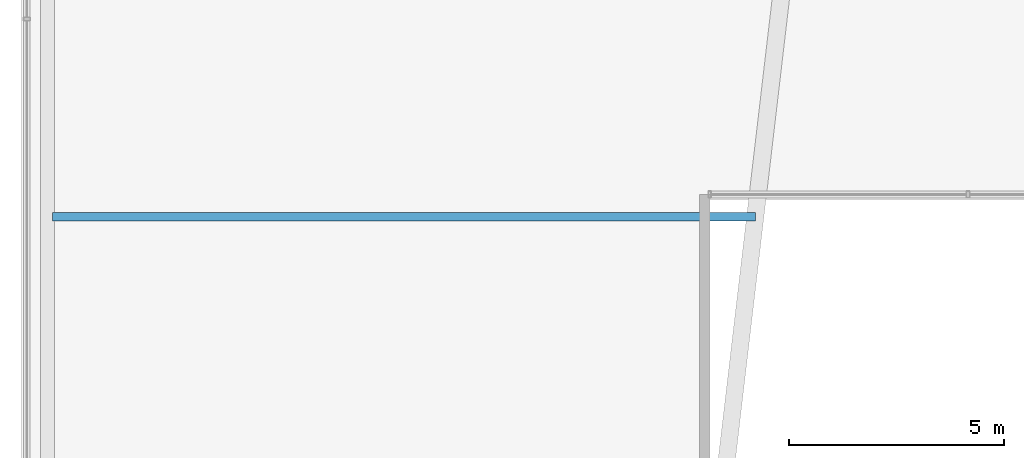
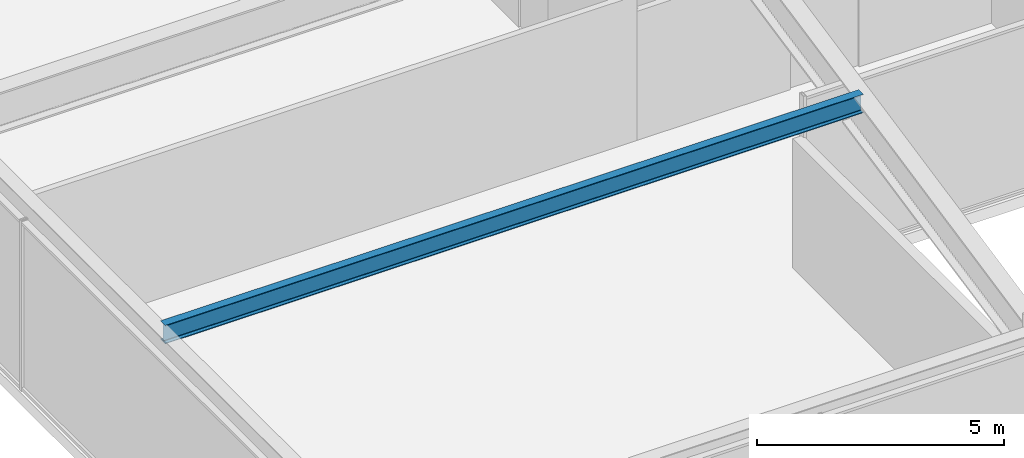
# One storey, part 7 of 47: 1 beam.
"""IFC4 building model written with IfcOpenShell, lengths in metres."""

import ifcopenshell
import ifcopenshell.guid

model = None  # the IFC model being written
_history = None  # IfcOwnerHistory: only IFC2X3 demands one
_inside = {}  # id of a spatial element -> (the spatial element, [elements in it])
_under = {}  # id of a project, library or spatial element -> (it, [spatial elements below it])
_declared = {}  # id of a project -> (the project, [libraries it declares])
_typed = {}  # id of a type object -> (the type object, [elements of that type])
_made_of = {}  # id of a material, layer set ... -> (it, [elements and type objects made of it])


def new_model(schema):
    """Start an empty IFC model of exactly this schema.

    Asked for "IFC4X3", IfcOpenShell would pick the latest addendum, in which some entities
    have other attributes; the version numbers below select the first issue.
    IFC2X3 requires an IfcOwnerHistory on every rooted entity: one is made here for all.
    """
    global model, _history
    if schema == "IFC4X3":
        model = ifcopenshell.file(schema_version=(4, 3, 0, 0))
    else:
        model = ifcopenshell.file(schema=schema)
    _inside.clear()
    _under.clear()
    _declared.clear()
    _typed.clear()
    _made_of.clear()
    _history = None
    if model.schema == "IFC2X3":
        org = make("IfcOrganization", Name="unknown")
        user = make(
            "IfcPersonAndOrganization",
            ThePerson=make("IfcPerson", FamilyName="unknown"),
            TheOrganization=org,
        )
        app = make(
            "IfcApplication",
            ApplicationDeveloper=org,
            Version="unknown",
            ApplicationFullName="unknown",
            ApplicationIdentifier="unknown",
        )
        _history = make(
            "IfcOwnerHistory",
            OwningUser=user,
            OwningApplication=app,
            ChangeAction="ADDED",
            CreationDate=0,
        )
    return model


def make(cls, **values):
    """One entity of the class cls with the attributes given. An attribute that is None is left unset."""
    return model.create_entity(
        cls, **{name: value for name, value in values.items() if value is not None}
    )


def rooted(cls, **values):
    """An entity with a GlobalId (a new one), such as an element, a storey or a relation."""
    return make(cls, GlobalId=ifcopenshell.guid.new(), OwnerHistory=_history, **values)


def si_unit(unit_type, name, prefix=None):
    """IfcSIUnit, for example si_unit("LENGTHUNIT", "METRE", prefix="MILLI")."""
    return make("IfcSIUnit", UnitType=unit_type, Prefix=prefix, Name=name)


def assignment(units):
    """IfcUnitAssignment: the units of a project."""
    return None if units is None else make("IfcUnitAssignment", Units=units)


def point(xyz):
    """IfcCartesianPoint."""
    return None if xyz is None else make("IfcCartesianPoint", Coordinates=xyz)


def direction(xyz):
    """IfcDirection."""
    return None if xyz is None else make("IfcDirection", DirectionRatios=xyz)


def frame(location, z_axis=None, x_axis=None):
    """IfcAxis2Placement3D, a coordinate frame: its origin and axes. An axis left out is left unset."""
    return make(
        "IfcAxis2Placement3D",
        Location=point(location),
        Axis=direction(z_axis),
        RefDirection=direction(x_axis),
    )


def frame_2d(location, x_axis=None):
    """IfcAxis2Placement2D, a coordinate frame in the plane: its origin and x axis."""
    return make(
        "IfcAxis2Placement2D", Location=point(location), RefDirection=direction(x_axis)
    )


def origin():
    """The frame at (0, 0, 0) with its axes left unset."""
    return frame((0.0, 0.0, 0.0))


def origin_2d():
    """The frame at (0, 0) in the plane with its x axis left unset."""
    return frame_2d((0.0, 0.0))


def place(relative_to, where):
    """IfcLocalPlacement: puts the frame where relative to a parent placement (None: the world)."""
    return make(
        "IfcLocalPlacement", PlacementRelTo=relative_to, RelativePlacement=where
    )


def context(
    kind, dimensions, precision=None, world=None, true_north=None, identifier=None
):
    """IfcGeometricRepresentationContext, for example the 3D "Model" context."""
    return make(
        "IfcGeometricRepresentationContext",
        ContextIdentifier=identifier,
        ContextType=kind,
        CoordinateSpaceDimension=dimensions,
        Precision=precision,
        WorldCoordinateSystem=world,
        TrueNorth=true_north,
    )


def subcontext(parent, identifier, kind, view, scale=None):
    """IfcGeometricRepresentationSubContext, for example "Body" below "Model"."""
    return make(
        "IfcGeometricRepresentationSubContext",
        ContextIdentifier=identifier,
        ContextType=kind,
        ParentContext=parent,
        TargetScale=scale,
        TargetView=view,
    )


def project(units=None, contexts=None):
    """IfcProject with its units and contexts."""
    return rooted(
        "IfcProject",
        Name="project",
        RepresentationContexts=contexts,
        UnitsInContext=assignment(units),
    )


def spatial(cls, under=None, at=None, **own):
    """A site, building, storey or space (cls), placed at a placement, below another one or the project."""
    s = rooted(cls, ObjectPlacement=at, **own)
    if under is not None:
        _under.setdefault(under.id(), (under, []))[1].append(s)
    return s


def profile(cls, at=None, kind="AREA", **sizes):
    """A parametric profile (cls). Its sizes go by their IFC names, for example OverallWidth=200.0."""
    return make(cls, ProfileType=kind, Position=at, **sizes)


def i_section(**sizes):
    """IfcIShapeProfileDef."""
    return profile("IfcIShapeProfileDef", **sizes)


def extrude(swept, where, along, depth):
    """IfcExtrudedAreaSolid: the profile swept, set in the frame where, extruded along a direction by depth."""
    return make(
        "IfcExtrudedAreaSolid",
        SweptArea=swept,
        Position=where,
        ExtrudedDirection=direction(along),
        Depth=depth,
    )


def shape(context_of_items, identifier, shape_type, items):
    """IfcShapeRepresentation: the items that make up one representation, for example the "Body"."""
    return make(
        "IfcShapeRepresentation",
        ContextOfItems=context_of_items,
        RepresentationIdentifier=identifier,
        RepresentationType=shape_type,
        Items=items,
    )


def material(Name=None, Category=None):
    """IfcMaterial."""
    return make("IfcMaterial", Name=Name, Category=Category)


def material_profile(
    of_material, cross_section, Name=None, Category=None, Priority=None
):
    """IfcMaterialProfile: a cross section and its material."""
    return make(
        "IfcMaterialProfile",
        Name=Name,
        Material=of_material,
        Profile=cross_section,
        Priority=Priority,
        Category=Category,
    )


def profile_set(profiles, Name=None, composite=None):
    """IfcMaterialProfileSet."""
    return make(
        "IfcMaterialProfileSet",
        Name=Name,
        MaterialProfiles=profiles,
        CompositeProfile=composite,
    )


def made_of(thing, what):
    """Note that an element or type object is made of a material, layer set ...; save() writes the relation."""
    if what is not None:
        _made_of.setdefault(what.id(), (what, []))[1].append(thing)
    return thing


def type_object(cls, material=None, **own):
    """A type object (cls), such as IfcWallType, which elements share."""
    return made_of(rooted(cls, **own), material)


def element(
    cls,
    number,
    at=None,
    inside=None,
    cuts=None,
    type_object=None,
    material=None,
    context=None,
    identifier="Body",
    shape_type=None,
    held_by="IfcProductDefinitionShape",
    body=None,
    shapes=None,
    **own,
):
    """One element of the class cls, such as IfcWall. Its Tag is "e" and its number.

    at: its placement. inside: the storey or other place that contains it. cuts: it is an
    opening in that element (IfcRelVoidsElement). A single representation is given by context,
    identifier, shape_type and body (its items); several are given by shapes. held_by: the class
    of the entity that holds the representations. save() writes the other relations.
    """
    e = rooted(cls, Tag="e%d" % number, ObjectPlacement=at, **own)
    if body is not None:
        shapes = [shape(context, identifier, shape_type, body)]
    if shapes is not None:
        e.Representation = make(held_by, Representations=shapes)
    if inside is not None:
        _inside.setdefault(inside.id(), (inside, []))[1].append(e)
    if cuts is not None:
        rooted(
            "IfcRelVoidsElement", RelatingBuildingElement=cuts, RelatedOpeningElement=e
        )
    if type_object is not None:
        _typed.setdefault(type_object.id(), (type_object, []))[1].append(e)
    return made_of(e, material)


def aggregate(whole, parts):
    """IfcRelAggregates: a whole, such as a stair, and the parts it consists of."""
    return rooted("IfcRelAggregates", RelatingObject=whole, RelatedObjects=parts)


def save(model, path):
    """Write the relations noted so far, then the file.

    IfcRelAggregates (storeys below a building ...), IfcRelContainedInSpatialStructure (elements
    in a storey), IfcRelDefinesByType, IfcRelAssociatesMaterial and IfcRelDeclares: one each for
    every whole, place, type object, material and project.
    """
    for whole, parts in _under.values():
        aggregate(whole, parts)
    for where, things in _inside.values():
        rooted(
            "IfcRelContainedInSpatialStructure",
            RelatedElements=things,
            RelatingStructure=where,
        )
    for kind, things in _typed.values():
        rooted("IfcRelDefinesByType", RelatedObjects=things, RelatingType=kind)
    for what, things in _made_of.values():
        rooted("IfcRelAssociatesMaterial", RelatedObjects=things, RelatingMaterial=what)
    for by, libraries in _declared.values():
        rooted("IfcRelDeclares", RelatingContext=by, RelatedDefinitions=libraries)
    model.write(path)


model = new_model("IFC4")

# Units and contexts
model_context = context("Model", 3, precision=1e-05, world=origin(), true_north=direction((0.0, 1.0)))
body_context = subcontext(model_context, "Body", "Model", "MODEL_VIEW")
ifc_project = project(units=[si_unit("LENGTHUNIT", "METRE"), si_unit("AREAUNIT", "SQUARE_METRE"), si_unit("VOLUMEUNIT", "CUBIC_METRE"), si_unit("PLANEANGLEUNIT", "RADIAN"), si_unit("MASSUNIT", "GRAM", prefix="KILO")], contexts=[model_context])

# Site, building, storey
site_placement = place(None, origin())
site = spatial("IfcSite", under=ifc_project, at=site_placement, CompositionType="ELEMENT")
building_placement = place(site_placement, origin())
building = spatial("IfcBuilding", under=site, at=building_placement, Name="Kolvaren Belvedere", CompositionType="ELEMENT")
storey_placement = place(building_placement, frame((0.0, 0.0, 5.5)))
storey = spatial("IfcBuildingStorey", under=building, at=storey_placement, Name="L02", CompositionType="ELEMENT", Elevation=5.5)

# Beam
ifc_material = material(Name="Structural steel ASTM A992 Grade 50", Category="steel")
ifc_material_profile = material_profile(ifc_material, i_section(OverallWidth=0.19091796875, OverallDepth=0.4599609375, WebThickness=0.010009765625, FlangeThickness=0.01611328125, FilletRadius=0.014892578125, at=origin_2d()), Name="W18X55")
ifc_profile_set = profile_set([ifc_material_profile], Name="Structural steel ASTM A992 Grade 50")
beam_type = type_object("IfcBeamType", Name="BM-JOIST-W18X55", PredefinedType="BEAM", material=ifc_profile_set)
beam_placement = place(storey_placement, frame((-27.280029296875, -18.800048828125, 3.989990234375), z_axis=(1.0, 0.0, 0.0), x_axis=(0.0, 1.0, 0.0)))
element("IfcBeam", 1, at=beam_placement, inside=storey, type_object=beam_type, Name="L02 West Bay Floor Beam", PredefinedType="BEAM", context=body_context, shape_type="SweptSolid", body=[
    extrude(i_section(OverallWidth=0.19091796875, OverallDepth=0.4599609375, WebThickness=0.010009765625, FlangeThickness=0.01611328125, FilletRadius=0.014892578125, at=origin_2d()), origin(), (0.0, 0.0, 1.0), 16.340087890625),
])

save(model, "model.ifc")
